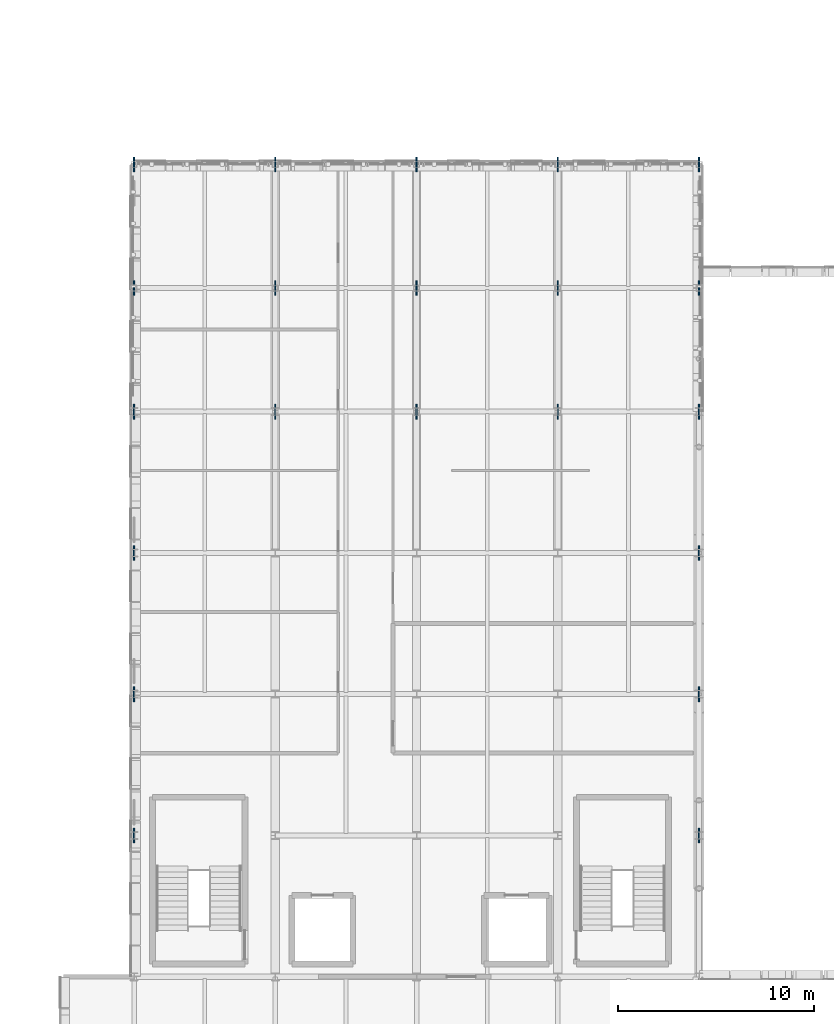
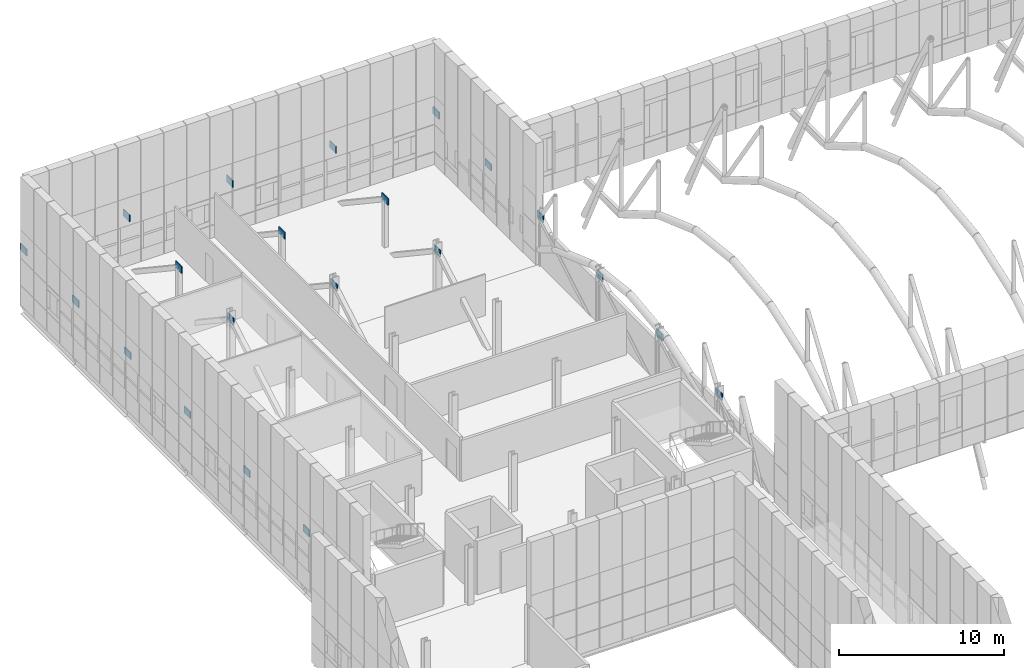
# One storey, part 98 of 144: 21 plates.
"""IFC4 building model written with IfcOpenShell, lengths in metres."""

from ifc_helpers import new_model, si_unit, direction, frame, origin, origin_2d, place, context, subcontext, project, spatial, rectangle, extrude, material, layer, layer_set, type_object, element, save


model = new_model("IFC4")

# Units and contexts
model_context = context("Model", 3, precision=1e-05, world=origin(), true_north=direction((0.0, 1.0)))
body_context = subcontext(model_context, "Body", "Model", "MODEL_VIEW")
ifc_project = project(units=[si_unit("LENGTHUNIT", "METRE"), si_unit("AREAUNIT", "SQUARE_METRE"), si_unit("VOLUMEUNIT", "CUBIC_METRE"), si_unit("PLANEANGLEUNIT", "RADIAN"), si_unit("MASSUNIT", "GRAM", prefix="KILO")], contexts=[model_context])

# Site, building, storey
site_placement = place(None, origin())
site = spatial("IfcSite", under=ifc_project, at=site_placement, CompositionType="ELEMENT")
building_placement = place(site_placement, origin())
building = spatial("IfcBuilding", under=site, at=building_placement, Name="Yarey Park Central Fire Station", CompositionType="ELEMENT")
storey_placement = place(building_placement, frame((0.0, 0.0, 10.199951171875)))
storey = spatial("IfcBuildingStorey", under=building, at=storey_placement, Name="L03", CompositionType="ELEMENT", Elevation=10.199951171875)

# Plates
ifc_material = material(Name="Steel ASTM A572 Gr. 50", Category="steel")
ifc_layer_1 = layer(ifc_material, 0.06396484375)
ifc_layer_set_1 = layer_set([ifc_layer_1], Name="Steel ASTM A572 Gr. 50")
plate_type_1 = type_object("IfcPlateType", Name="STR_PLT_NODE4", PredefinedType="USERDEFINED", material=ifc_layer_set_1)
for number, where, z_axis, x_axis, name in (
    (1, (36.0, 86.39990234375, 3.25), (0.0, 0.0, 1.0), (1.0, 0.0, 0.0), "NODE_PLT_TT_013"),
    (2, (36.0, 92.699951171875, 3.25), (0.0, 0.0, 1.0), (1.0, 0.0, 0.0), "NODE_PLT_TT_014"),
    (3, (36.0, 99.0, 3.25), (0.0, 0.0, 1.0), (1.0, 0.0, 0.0), "NODE_PLT_TT_015"),
    (4, (43.199951171875, 86.39990234375, 3.25), (0.0, 0.0, 1.0), (1.0, 0.0, 0.0), "NODE_PLT_TT_019"),
    (5, (43.199951171875, 92.699951171875, 3.25), (0.0, 0.0, 1.0), (1.0, 0.0, 0.0), "NODE_PLT_TT_020"),
    (6, (43.199951171875, 99.0, 3.25), (0.0, 0.0, 1.0), (1.0, 0.0, 0.0), "NODE_PLT_TT_021"),
    (7, (50.39990234375, 86.39990234375, 3.25), (0.0, 0.0, 1.0), (1.0, 0.0, 0.0), "NODE_PLT_TT_025"),
    (8, (50.39990234375, 92.699951171875, 3.25), (0.0, 0.0, 1.0), (1.0, 0.0, 0.0), "NODE_PLT_TT_026"),
    (9, (50.39990234375, 99.0, 3.25), (0.0, 0.0, 1.0), (1.0, 0.0, 0.0), "NODE_PLT_TT_027"),
):
    element("IfcPlate", number, at=place(storey_placement, frame(where, z_axis=z_axis, x_axis=x_axis)), inside=storey, type_object=plate_type_1, Name=name, ObjectType="GUSSET_PLATE", PredefinedType="USERDEFINED", context=body_context, shape_type="SweptSolid", body=[
        extrude(rectangle(XDim=0.06396484375, YDim=0.75, at=origin_2d()), origin(), (0.0, 0.0, 1.0), 0.5),
    ])
ifc_layer_2 = layer(ifc_material, 0.073974609375)
ifc_layer_set_2 = layer_set([ifc_layer_2], Name="Steel ASTM A572 Gr. 50")
plate_type_2 = type_object("IfcPlateType", Name="STR_PLT_NODE5", PredefinedType="USERDEFINED", material=ifc_layer_set_2)
for number, where, z_axis, x_axis, name in (
    (10, (28.800048828125, 64.800048828125, 3.25), (0.0, 0.0, 1.0), (1.0, 0.0, 0.0), "NODE_PLT_TT_001"),
    (11, (28.800048828125, 72.0, 3.25), (0.0, 0.0, 1.0), (1.0, 0.0, 0.0), "NODE_PLT_TT_002"),
    (12, (28.800048828125, 79.199951171875, 3.25), (0.0, 0.0, 1.0), (1.0, 0.0, 0.0), "NODE_PLT_TT_003"),
    (13, (28.800048828125, 86.39990234375, 3.25), (0.0, 0.0, 1.0), (1.0, 0.0, 0.0), "NODE_PLT_TT_004"),
    (14, (28.800048828125, 92.699951171875, 3.25), (0.0, 0.0, 1.0), (1.0, 0.0, 0.0), "NODE_PLT_TT_005"),
    (15, (28.800048828125, 99.0, 3.25), (0.0, 0.0, 1.0), (1.0, 0.0, 0.0), "NODE_PLT_TT_006"),
    (16, (57.60009765625, 64.800048828125, 3.25), (0.0, 0.0, 1.0), (1.0, 0.0, 0.0), "NODE_PLT_TT_031"),
    (17, (57.60009765625, 72.0, 3.25), (0.0, 0.0, 1.0), (1.0, 0.0, 0.0), "NODE_PLT_TT_032"),
    (18, (57.60009765625, 79.199951171875, 3.25), (0.0, 0.0, 1.0), (1.0, 0.0, 0.0), "NODE_PLT_TT_033"),
    (19, (57.60009765625, 86.39990234375, 3.25), (0.0, 0.0, 1.0), (1.0, 0.0, 0.0), "NODE_PLT_TT_034"),
    (20, (57.60009765625, 92.699951171875, 3.25), (0.0, 0.0, 1.0), (1.0, 0.0, 0.0), "NODE_PLT_TT_035"),
    (21, (57.60009765625, 99.0, 3.25), (0.0, 0.0, 1.0), (1.0, 0.0, 0.0), "NODE_PLT_TT_036"),
):
    element("IfcPlate", number, at=place(storey_placement, frame(where, z_axis=z_axis, x_axis=x_axis)), inside=storey, type_object=plate_type_2, Name=name, ObjectType="GUSSET_PLATE", PredefinedType="USERDEFINED", context=body_context, shape_type="SweptSolid", body=[
        extrude(rectangle(XDim=0.073974609375, YDim=0.75, at=origin_2d()), origin(), (0.0, 0.0, 1.0), 0.5),
    ])

save(model, "model.ifc")
